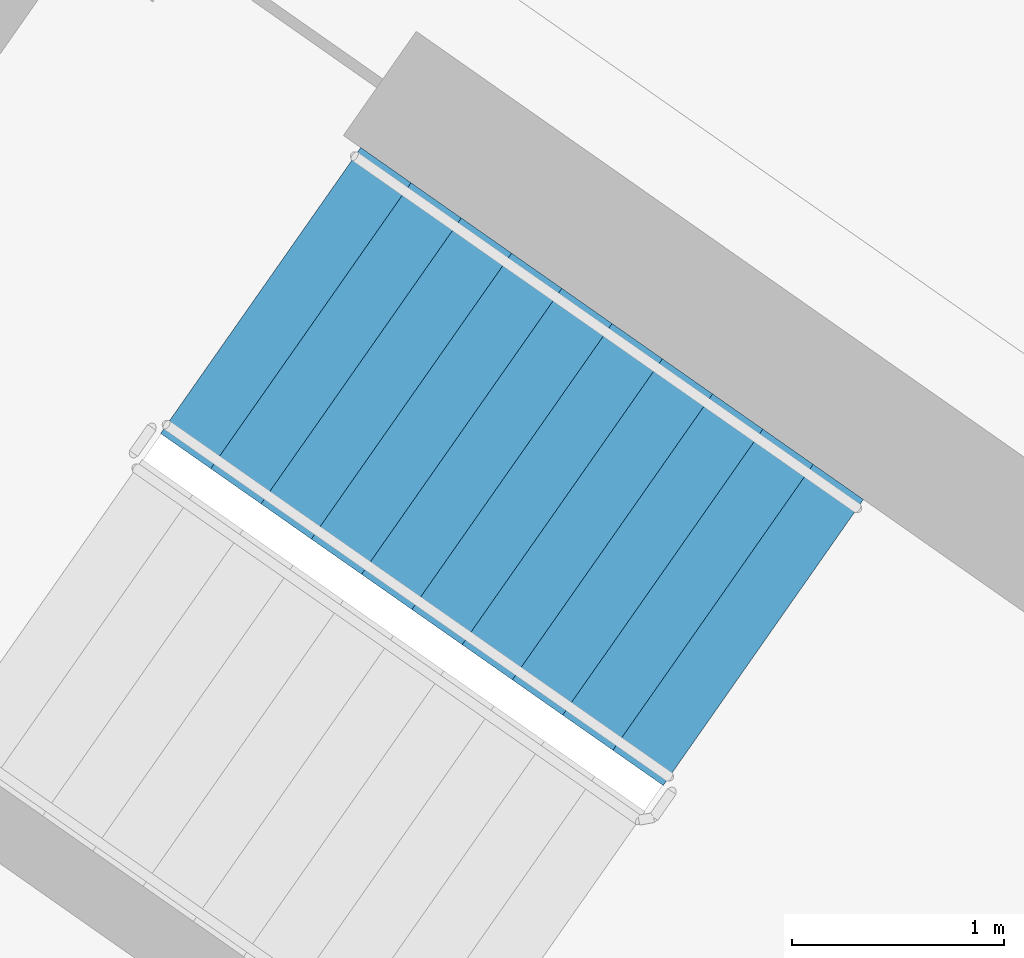
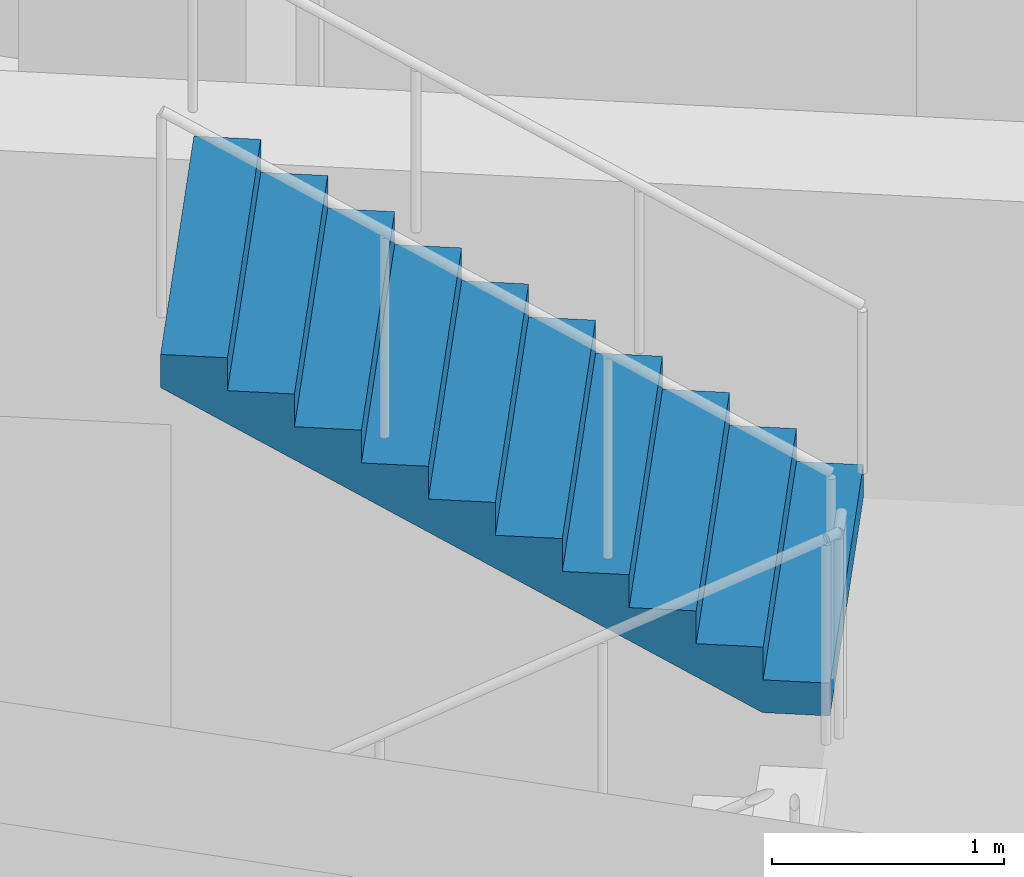
# One storey, part 13 of 28: 1 stair flight, 1 element without a shape of its own.
"""IFC4 building model written with IfcOpenShell, lengths in metres."""

from ifc_helpers import new_model, si_unit, direction, frame, origin, place, context, subcontext, project, spatial, faceted_brep, material, type_object, element, aggregate, save


model = new_model("IFC4")

# Units and contexts
model_context = context("Model", 3, precision=1e-05, world=origin(), true_north=direction((0.0, 1.0)))
body_context = subcontext(model_context, "Body", "Model", "MODEL_VIEW")
ifc_project = project(units=[si_unit("LENGTHUNIT", "METRE"), si_unit("AREAUNIT", "SQUARE_METRE"), si_unit("VOLUMEUNIT", "CUBIC_METRE"), si_unit("PLANEANGLEUNIT", "RADIAN"), si_unit("MASSUNIT", "GRAM", prefix="KILO")], contexts=[model_context])

# Site, building, storey
site_placement = place(None, origin())
site = spatial("IfcSite", under=ifc_project, at=site_placement, CompositionType="ELEMENT")
building_placement = place(site_placement, origin())
building = spatial("IfcBuilding", under=site, at=building_placement, Name="Qamariyya Broadcast Tower", CompositionType="ELEMENT")
storey_placement = place(building_placement, frame((0.0, 0.0, 218.89990234375)))
storey = spatial("IfcBuildingStorey", under=building, at=storey_placement, Name="L52", CompositionType="ELEMENT", Elevation=218.89990234375)

# Stair, stair flight
ifc_material = material(Name="Concrete C50/60", Category="concrete")
stair_type = type_object("IfcStairType", Name="Exit stair 22 risers of 173 mm", PredefinedType="HALF_TURN_STAIR", material=ifc_material)
stair_placement = place(storey_placement, origin())
stair = element("IfcStair", 1, at=stair_placement, inside=storey, type_object=stair_type, Name="L52 Stair W2", PredefinedType="HALF_TURN_STAIR")
stair_flight_type = type_object("IfcStairFlightType", Name="Exit stair flight 11 risers of 173 mm", PredefinedType="STRAIGHT", material=ifc_material)
stair_flight_placement = place(storey_placement, frame((-38.18310546875, -49.3486328125, 1.900146484375), z_axis=(0.0, 0.0, 1.0), x_axis=(-0.819152044289, 0.573576436351, 0.0)))
stair_flight = element("IfcStairFlight", 2, at=stair_flight_placement, type_object=stair_flight_type, Name="ST-W2 flight 2", NumberOfRisers=11, NumberOfTreads=10, PredefinedType="STRAIGHT", RiserHeight=0.172727273, TreadLength=0.29, context=body_context, shape_type="Brep", body=[
    faceted_brep([(0.0, 0.824951171875, 0.0), (0.0, 0.824951171875, 0.172607421875), (0.2900390625, 0.824951171875, 0.172607421875), (0.2900390625, 0.824951171875, 0.345458984375), (0.580078125, 0.824951171875, 0.345458984375), (0.580078125, 0.824951171875, 0.51806640625), (0.8701171875, 0.824951171875, 0.51806640625), (0.8701171875, 0.824951171875, 0.69091796875), (1.159912109375, 0.824951171875, 0.69091796875), (1.159912109375, 0.824951171875, 0.863525390625), (1.449951171875, 0.824951171875, 0.863525390625), (1.449951171875, 0.824951171875, 1.036376953125), (1.739990234375, 0.824951171875, 1.036376953125), (1.739990234375, 0.824951171875, 1.208984375), (2.030029296875, 0.824951171875, 1.208984375), (2.030029296875, 0.824951171875, 1.3818359375), (2.320068359375, 0.824951171875, 1.3818359375), (2.320068359375, 0.824951171875, 1.554443359375), (2.610107421875, 0.824951171875, 1.554443359375), (2.610107421875, 0.824951171875, 1.727294921875), (2.89990234375, 0.824951171875, 1.727294921875), (2.89990234375, 0.824951171875, 1.552734375), (0.29296875, 0.824951171875, 0.0), (0.29296875, -0.824951171875, 0.0), (2.89990234375, -0.824951171875, 1.552734375), (2.89990234375, -0.824951171875, 1.727294921875), (2.610107421875, -0.824951171875, 1.727294921875), (2.610107421875, -0.824951171875, 1.554443359375), (2.320068359375, -0.824951171875, 1.554443359375), (2.320068359375, -0.824951171875, 1.3818359375), (2.030029296875, -0.824951171875, 1.3818359375), (2.030029296875, -0.824951171875, 1.208984375), (1.739990234375, -0.824951171875, 1.208984375), (1.739990234375, -0.824951171875, 1.036376953125), (1.449951171875, -0.824951171875, 1.036376953125), (1.449951171875, -0.824951171875, 0.863525390625), (1.159912109375, -0.824951171875, 0.863525390625), (1.159912109375, -0.824951171875, 0.69091796875), (0.8701171875, -0.824951171875, 0.69091796875), (0.8701171875, -0.824951171875, 0.51806640625), (0.580078125, -0.824951171875, 0.51806640625), (0.580078125, -0.824951171875, 0.345458984375), (0.2900390625, -0.824951171875, 0.345458984375), (0.2900390625, -0.824951171875, 0.172607421875), (0.0, -0.824951171875, 0.172607421875), (0.0, -0.824951171875, 0.0), (0.0, 0.10009765625, 0.0), (0.0, 0.086669921875, 0.0), (0.0, 0.0732421875, 0.0), (0.0, 0.06005859375, 0.0), (0.0, 0.046630859375, 0.0), (0.0, 0.033447265625, 0.0), (0.0, 0.02001953125, 0.0), (0.0, 0.006591796875, 0.0), (0.0, -0.006591796875, 0.0), (0.0, -0.02001953125, 0.0), (0.0, -0.033447265625, 0.0), (0.0, -0.046630859375, 0.0), (0.0, -0.06005859375, 0.0), (0.0, -0.0732421875, 0.0), (0.0, -0.086669921875, 0.0), (0.0, -0.10009765625, 0.0), (0.0, -0.10009765625, 0.172607421875), (0.0, -0.086669921875, 0.172607421875), (0.0, -0.0732421875, 0.172607421875), (0.0, -0.06005859375, 0.172607421875), (0.0, -0.046630859375, 0.172607421875), (0.0, -0.033447265625, 0.172607421875), (0.0, -0.02001953125, 0.172607421875), (0.0, -0.006591796875, 0.172607421875), (0.0, 0.006591796875, 0.172607421875), (0.0, 0.02001953125, 0.172607421875), (0.0, 0.033447265625, 0.172607421875), (0.0, 0.046630859375, 0.172607421875), (0.0, 0.06005859375, 0.172607421875), (0.0, 0.0732421875, 0.172607421875), (0.0, 0.086669921875, 0.172607421875), (0.0, 0.10009765625, 0.172607421875), (0.2900390625, -0.10009765625, 0.172607421875), (0.2900390625, -0.086669921875, 0.172607421875), (0.2900390625, -0.0732421875, 0.172607421875), (0.2900390625, -0.06005859375, 0.172607421875), (0.2900390625, -0.046630859375, 0.172607421875), (0.2900390625, -0.033447265625, 0.172607421875), (0.2900390625, -0.02001953125, 0.172607421875), (0.2900390625, -0.006591796875, 0.172607421875), (0.2900390625, 0.006591796875, 0.172607421875), (0.2900390625, 0.02001953125, 0.172607421875), (0.2900390625, 0.033447265625, 0.172607421875), (0.2900390625, 0.046630859375, 0.172607421875), (0.2900390625, 0.06005859375, 0.172607421875), (0.2900390625, 0.0732421875, 0.172607421875), (0.2900390625, 0.086669921875, 0.172607421875), (0.2900390625, 0.10009765625, 0.172607421875), (0.2900390625, -0.10009765625, 0.345458984375), (0.2900390625, -0.086669921875, 0.345458984375), (0.2900390625, -0.0732421875, 0.345458984375), (0.2900390625, -0.06005859375, 0.345458984375), (0.2900390625, -0.046630859375, 0.345458984375), (0.2900390625, -0.033447265625, 0.345458984375), (0.2900390625, -0.02001953125, 0.345458984375), (0.2900390625, -0.006591796875, 0.345458984375), (0.2900390625, 0.006591796875, 0.345458984375), (0.2900390625, 0.02001953125, 0.345458984375), (0.2900390625, 0.033447265625, 0.345458984375), (0.2900390625, 0.046630859375, 0.345458984375), (0.2900390625, 0.06005859375, 0.345458984375), (0.2900390625, 0.0732421875, 0.345458984375), (0.2900390625, 0.086669921875, 0.345458984375), (0.2900390625, 0.10009765625, 0.345458984375), (0.580078125, -0.10009765625, 0.345458984375), (0.580078125, -0.086669921875, 0.345458984375), (0.580078125, -0.0732421875, 0.345458984375), (0.580078125, -0.06005859375, 0.345458984375), (0.580078125, -0.046630859375, 0.345458984375), (0.580078125, -0.033447265625, 0.345458984375), (0.580078125, -0.02001953125, 0.345458984375), (0.580078125, -0.006591796875, 0.345458984375), (0.580078125, 0.006591796875, 0.345458984375), (0.580078125, 0.02001953125, 0.345458984375), (0.580078125, 0.033447265625, 0.345458984375), (0.580078125, 0.046630859375, 0.345458984375), (0.580078125, 0.06005859375, 0.345458984375), (0.580078125, 0.0732421875, 0.345458984375), (0.580078125, 0.086669921875, 0.345458984375), (0.580078125, 0.10009765625, 0.345458984375), (0.580078125, -0.10009765625, 0.51806640625), (0.580078125, -0.086669921875, 0.51806640625), (0.580078125, -0.0732421875, 0.51806640625), (0.580078125, -0.06005859375, 0.51806640625), (0.580078125, -0.046630859375, 0.51806640625), (0.580078125, -0.033447265625, 0.51806640625), (0.580078125, -0.02001953125, 0.51806640625), (0.580078125, -0.006591796875, 0.51806640625), (0.580078125, 0.006591796875, 0.51806640625), (0.580078125, 0.02001953125, 0.51806640625), (0.580078125, 0.033447265625, 0.51806640625), (0.580078125, 0.046630859375, 0.51806640625), (0.580078125, 0.06005859375, 0.51806640625), (0.580078125, 0.0732421875, 0.51806640625), (0.580078125, 0.086669921875, 0.51806640625), (0.580078125, 0.10009765625, 0.51806640625), (0.8701171875, -0.10009765625, 0.51806640625), (0.8701171875, -0.086669921875, 0.51806640625), (0.8701171875, -0.0732421875, 0.51806640625), (0.8701171875, -0.06005859375, 0.51806640625), (0.8701171875, -0.046630859375, 0.51806640625), (0.8701171875, -0.033447265625, 0.51806640625), (0.8701171875, -0.02001953125, 0.51806640625), (0.8701171875, -0.006591796875, 0.51806640625), (0.8701171875, 0.006591796875, 0.51806640625), (0.8701171875, 0.02001953125, 0.51806640625), (0.8701171875, 0.033447265625, 0.51806640625), (0.8701171875, 0.046630859375, 0.51806640625), (0.8701171875, 0.06005859375, 0.51806640625), (0.8701171875, 0.0732421875, 0.51806640625), (0.8701171875, 0.086669921875, 0.51806640625), (0.8701171875, 0.10009765625, 0.51806640625), (0.8701171875, -0.10009765625, 0.69091796875), (0.8701171875, -0.086669921875, 0.69091796875), (0.8701171875, -0.0732421875, 0.69091796875), (0.8701171875, -0.06005859375, 0.69091796875), (0.8701171875, -0.046630859375, 0.69091796875), (0.8701171875, -0.033447265625, 0.69091796875), (0.8701171875, -0.02001953125, 0.69091796875), (0.8701171875, -0.006591796875, 0.69091796875), (0.8701171875, 0.006591796875, 0.69091796875), (0.8701171875, 0.02001953125, 0.69091796875), (0.8701171875, 0.033447265625, 0.69091796875), (0.8701171875, 0.046630859375, 0.69091796875), (0.8701171875, 0.06005859375, 0.69091796875), (0.8701171875, 0.0732421875, 0.69091796875), (0.8701171875, 0.086669921875, 0.69091796875), (0.8701171875, 0.10009765625, 0.69091796875), (1.159912109375, -0.10009765625, 0.69091796875), (1.159912109375, -0.086669921875, 0.69091796875), (1.159912109375, -0.0732421875, 0.69091796875), (1.159912109375, -0.06005859375, 0.69091796875), (1.159912109375, -0.046630859375, 0.69091796875), (1.159912109375, -0.033447265625, 0.69091796875), (1.159912109375, -0.02001953125, 0.69091796875), (1.159912109375, -0.006591796875, 0.69091796875), (1.159912109375, 0.006591796875, 0.69091796875), (1.159912109375, 0.02001953125, 0.69091796875), (1.159912109375, 0.033447265625, 0.69091796875), (1.159912109375, 0.046630859375, 0.69091796875), (1.159912109375, 0.06005859375, 0.69091796875), (1.159912109375, 0.0732421875, 0.69091796875), (1.159912109375, 0.086669921875, 0.69091796875), (1.159912109375, 0.10009765625, 0.69091796875), (1.159912109375, -0.10009765625, 0.863525390625), (1.159912109375, -0.086669921875, 0.863525390625), (1.159912109375, -0.0732421875, 0.863525390625), (1.159912109375, -0.06005859375, 0.863525390625), (1.159912109375, -0.046630859375, 0.863525390625), (1.159912109375, -0.033447265625, 0.863525390625), (1.159912109375, -0.02001953125, 0.863525390625), (1.159912109375, -0.006591796875, 0.863525390625), (1.159912109375, 0.006591796875, 0.863525390625), (1.159912109375, 0.02001953125, 0.863525390625), (1.159912109375, 0.033447265625, 0.863525390625), (1.159912109375, 0.046630859375, 0.863525390625), (1.159912109375, 0.06005859375, 0.863525390625), (1.159912109375, 0.0732421875, 0.863525390625), (1.159912109375, 0.086669921875, 0.863525390625), (1.159912109375, 0.10009765625, 0.863525390625), (1.449951171875, -0.10009765625, 0.863525390625), (1.449951171875, -0.086669921875, 0.863525390625), (1.449951171875, -0.0732421875, 0.863525390625), (1.449951171875, -0.06005859375, 0.863525390625), (1.449951171875, -0.046630859375, 0.863525390625), (1.449951171875, -0.033447265625, 0.863525390625), (1.449951171875, -0.02001953125, 0.863525390625), (1.449951171875, -0.006591796875, 0.863525390625), (1.449951171875, 0.006591796875, 0.863525390625), (1.449951171875, 0.02001953125, 0.863525390625), (1.449951171875, 0.033447265625, 0.863525390625), (1.449951171875, 0.046630859375, 0.863525390625), (1.449951171875, 0.06005859375, 0.863525390625), (1.449951171875, 0.0732421875, 0.863525390625), (1.449951171875, 0.086669921875, 0.863525390625), (1.449951171875, 0.10009765625, 0.863525390625), (1.449951171875, -0.10009765625, 1.036376953125), (1.449951171875, -0.086669921875, 1.036376953125), (1.449951171875, -0.0732421875, 1.036376953125), (1.449951171875, -0.06005859375, 1.036376953125), (1.449951171875, -0.046630859375, 1.036376953125), (1.449951171875, -0.033447265625, 1.036376953125), (1.449951171875, -0.02001953125, 1.036376953125), (1.449951171875, -0.006591796875, 1.036376953125), (1.449951171875, 0.006591796875, 1.036376953125), (1.449951171875, 0.02001953125, 1.036376953125), (1.449951171875, 0.033447265625, 1.036376953125), (1.449951171875, 0.046630859375, 1.036376953125), (1.449951171875, 0.06005859375, 1.036376953125), (1.449951171875, 0.0732421875, 1.036376953125), (1.449951171875, 0.086669921875, 1.036376953125), (1.449951171875, 0.10009765625, 1.036376953125), (1.739990234375, -0.10009765625, 1.036376953125), (1.739990234375, -0.086669921875, 1.036376953125), (1.739990234375, -0.0732421875, 1.036376953125), (1.739990234375, -0.06005859375, 1.036376953125), (1.739990234375, -0.046630859375, 1.036376953125), (1.739990234375, -0.033447265625, 1.036376953125), (1.739990234375, -0.02001953125, 1.036376953125), (1.739990234375, -0.006591796875, 1.036376953125), (1.739990234375, 0.006591796875, 1.036376953125), (1.739990234375, 0.02001953125, 1.036376953125), (1.739990234375, 0.033447265625, 1.036376953125), (1.739990234375, 0.046630859375, 1.036376953125), (1.739990234375, 0.06005859375, 1.036376953125), (1.739990234375, 0.0732421875, 1.036376953125), (1.739990234375, 0.086669921875, 1.036376953125), (1.739990234375, 0.10009765625, 1.036376953125), (1.739990234375, -0.10009765625, 1.208984375), (1.739990234375, -0.086669921875, 1.208984375), (1.739990234375, -0.0732421875, 1.208984375), (1.739990234375, -0.06005859375, 1.208984375), (1.739990234375, -0.046630859375, 1.208984375), (1.739990234375, -0.033447265625, 1.208984375), (1.739990234375, -0.02001953125, 1.208984375), (1.739990234375, -0.006591796875, 1.208984375), (1.739990234375, 0.006591796875, 1.208984375), (1.739990234375, 0.02001953125, 1.208984375), (1.739990234375, 0.033447265625, 1.208984375), (1.739990234375, 0.046630859375, 1.208984375), (1.739990234375, 0.06005859375, 1.208984375), (1.739990234375, 0.0732421875, 1.208984375), (1.739990234375, 0.086669921875, 1.208984375), (1.739990234375, 0.10009765625, 1.208984375), (2.030029296875, -0.10009765625, 1.208984375), (2.030029296875, -0.086669921875, 1.208984375), (2.030029296875, -0.0732421875, 1.208984375), (2.030029296875, -0.06005859375, 1.208984375), (2.030029296875, -0.046630859375, 1.208984375), (2.030029296875, -0.033447265625, 1.208984375), (2.030029296875, -0.02001953125, 1.208984375), (2.030029296875, -0.006591796875, 1.208984375), (2.030029296875, 0.006591796875, 1.208984375), (2.030029296875, 0.02001953125, 1.208984375), (2.030029296875, 0.033447265625, 1.208984375), (2.030029296875, 0.046630859375, 1.208984375), (2.030029296875, 0.06005859375, 1.208984375), (2.030029296875, 0.0732421875, 1.208984375), (2.030029296875, 0.086669921875, 1.208984375), (2.030029296875, 0.10009765625, 1.208984375), (2.030029296875, -0.10009765625, 1.3818359375), (2.030029296875, -0.086669921875, 1.3818359375), (2.030029296875, -0.0732421875, 1.3818359375), (2.030029296875, -0.06005859375, 1.3818359375), (2.030029296875, -0.046630859375, 1.3818359375), (2.030029296875, -0.033447265625, 1.3818359375), (2.030029296875, -0.02001953125, 1.3818359375), (2.030029296875, -0.006591796875, 1.3818359375), (2.030029296875, 0.006591796875, 1.3818359375), (2.030029296875, 0.02001953125, 1.3818359375), (2.030029296875, 0.033447265625, 1.3818359375), (2.030029296875, 0.046630859375, 1.3818359375), (2.030029296875, 0.06005859375, 1.3818359375), (2.030029296875, 0.0732421875, 1.3818359375), (2.030029296875, 0.086669921875, 1.3818359375), (2.030029296875, 0.10009765625, 1.3818359375), (2.320068359375, -0.10009765625, 1.3818359375), (2.320068359375, -0.086669921875, 1.3818359375), (2.320068359375, -0.0732421875, 1.3818359375), (2.320068359375, -0.06005859375, 1.3818359375), (2.320068359375, -0.046630859375, 1.3818359375), (2.320068359375, -0.033447265625, 1.3818359375), (2.320068359375, -0.02001953125, 1.3818359375), (2.320068359375, -0.006591796875, 1.3818359375), (2.320068359375, 0.006591796875, 1.3818359375), (2.320068359375, 0.02001953125, 1.3818359375), (2.320068359375, 0.033447265625, 1.3818359375), (2.320068359375, 0.046630859375, 1.3818359375), (2.320068359375, 0.06005859375, 1.3818359375), (2.320068359375, 0.0732421875, 1.3818359375), (2.320068359375, 0.086669921875, 1.3818359375), (2.320068359375, 0.10009765625, 1.3818359375), (2.320068359375, -0.10009765625, 1.554443359375), (2.320068359375, -0.086669921875, 1.554443359375), (2.320068359375, -0.0732421875, 1.554443359375), (2.320068359375, -0.06005859375, 1.554443359375), (2.320068359375, -0.046630859375, 1.554443359375), (2.320068359375, -0.033447265625, 1.554443359375), (2.320068359375, -0.02001953125, 1.554443359375), (2.320068359375, -0.006591796875, 1.554443359375), (2.320068359375, 0.006591796875, 1.554443359375), (2.320068359375, 0.02001953125, 1.554443359375), (2.320068359375, 0.033447265625, 1.554443359375), (2.320068359375, 0.046630859375, 1.554443359375), (2.320068359375, 0.06005859375, 1.554443359375), (2.320068359375, 0.0732421875, 1.554443359375), (2.320068359375, 0.086669921875, 1.554443359375), (2.320068359375, 0.10009765625, 1.554443359375), (2.610107421875, -0.10009765625, 1.554443359375), (2.610107421875, -0.086669921875, 1.554443359375), (2.610107421875, -0.0732421875, 1.554443359375), (2.610107421875, -0.06005859375, 1.554443359375), (2.610107421875, -0.046630859375, 1.554443359375), (2.610107421875, -0.033447265625, 1.554443359375), (2.610107421875, -0.02001953125, 1.554443359375), (2.610107421875, -0.006591796875, 1.554443359375), (2.610107421875, 0.006591796875, 1.554443359375), (2.610107421875, 0.02001953125, 1.554443359375), (2.610107421875, 0.033447265625, 1.554443359375), (2.610107421875, 0.046630859375, 1.554443359375), (2.610107421875, 0.06005859375, 1.554443359375), (2.610107421875, 0.0732421875, 1.554443359375), (2.610107421875, 0.086669921875, 1.554443359375), (2.610107421875, 0.10009765625, 1.554443359375), (2.610107421875, -0.10009765625, 1.727294921875), (2.610107421875, -0.086669921875, 1.727294921875), (2.610107421875, -0.0732421875, 1.727294921875), (2.610107421875, -0.06005859375, 1.727294921875), (2.610107421875, -0.046630859375, 1.727294921875), (2.610107421875, -0.033447265625, 1.727294921875), (2.610107421875, -0.02001953125, 1.727294921875), (2.610107421875, -0.006591796875, 1.727294921875), (2.610107421875, 0.006591796875, 1.727294921875), (2.610107421875, 0.02001953125, 1.727294921875), (2.610107421875, 0.033447265625, 1.727294921875), (2.610107421875, 0.046630859375, 1.727294921875), (2.610107421875, 0.06005859375, 1.727294921875), (2.610107421875, 0.0732421875, 1.727294921875), (2.610107421875, 0.086669921875, 1.727294921875), (2.610107421875, 0.10009765625, 1.727294921875), (2.89990234375, -0.10009765625, 1.727294921875), (2.89990234375, -0.086669921875, 1.727294921875), (2.89990234375, -0.0732421875, 1.727294921875), (2.89990234375, -0.06005859375, 1.727294921875), (2.89990234375, -0.046630859375, 1.727294921875), (2.89990234375, -0.033447265625, 1.727294921875), (2.89990234375, -0.02001953125, 1.727294921875), (2.89990234375, -0.006591796875, 1.727294921875), (2.89990234375, 0.006591796875, 1.727294921875), (2.89990234375, 0.02001953125, 1.727294921875), (2.89990234375, 0.033447265625, 1.727294921875), (2.89990234375, 0.046630859375, 1.727294921875), (2.89990234375, 0.06005859375, 1.727294921875), (2.89990234375, 0.0732421875, 1.727294921875), (2.89990234375, 0.086669921875, 1.727294921875), (2.89990234375, 0.10009765625, 1.727294921875), (2.89990234375, -0.10009765625, 1.552734375), (2.89990234375, -0.086669921875, 1.552734375), (2.89990234375, -0.0732421875, 1.552734375), (2.89990234375, -0.06005859375, 1.552734375), (2.89990234375, -0.046630859375, 1.552734375), (2.89990234375, -0.033447265625, 1.552734375), (2.89990234375, -0.02001953125, 1.552734375), (2.89990234375, -0.006591796875, 1.552734375), (2.89990234375, 0.006591796875, 1.552734375), (2.89990234375, 0.02001953125, 1.552734375), (2.89990234375, 0.033447265625, 1.552734375), (2.89990234375, 0.046630859375, 1.552734375), (2.89990234375, 0.06005859375, 1.552734375), (2.89990234375, 0.0732421875, 1.552734375), (2.89990234375, 0.086669921875, 1.552734375), (2.89990234375, 0.10009765625, 1.552734375), (0.29296875, -0.10009765625, 0.0), (0.29296875, -0.086669921875, 0.0), (0.29296875, -0.0732421875, 0.0), (0.29296875, -0.06005859375, 0.0), (0.29296875, -0.046630859375, 0.0), (0.29296875, -0.033447265625, 0.0), (0.29296875, -0.02001953125, 0.0), (0.29296875, -0.006591796875, 0.0), (0.29296875, 0.006591796875, 0.0), (0.29296875, 0.02001953125, 0.0), (0.29296875, 0.033447265625, 0.0), (0.29296875, 0.046630859375, 0.0), (0.29296875, 0.06005859375, 0.0), (0.29296875, 0.0732421875, 0.0), (0.29296875, 0.086669921875, 0.0), (0.29296875, 0.10009765625, 0.0)], [[[0, 1, 2, 3, 4, 5, 6, 7, 8, 9, 10, 11, 12, 13, 14, 15, 16, 17, 18, 19, 20, 21, 22]], [[23, 24, 25, 26, 27, 28, 29, 30, 31, 32, 33, 34, 35, 36, 37, 38, 39, 40, 41, 42, 43, 44, 45]], [[0, 46, 47, 48, 49, 50, 51, 52, 53, 54, 55, 56, 57, 58, 59, 60, 61, 45, 44, 62, 63, 64, 65, 66, 67, 68, 69, 70, 71, 72, 73, 74, 75, 76, 77, 1]], [[1, 77, 76, 75, 74, 73, 72, 71, 70, 69, 68, 67, 66, 65, 64, 63, 62, 44, 43, 78, 79, 80, 81, 82, 83, 84, 85, 86, 87, 88, 89, 90, 91, 92, 93, 2]], [[2, 93, 92, 91, 90, 89, 88, 87, 86, 85, 84, 83, 82, 81, 80, 79, 78, 43, 42, 94, 95, 96, 97, 98, 99, 100, 101, 102, 103, 104, 105, 106, 107, 108, 109, 3]], [[3, 109, 108, 107, 106, 105, 104, 103, 102, 101, 100, 99, 98, 97, 96, 95, 94, 42, 41, 110, 111, 112, 113, 114, 115, 116, 117, 118, 119, 120, 121, 122, 123, 124, 125, 4]], [[4, 125, 124, 123, 122, 121, 120, 119, 118, 117, 116, 115, 114, 113, 112, 111, 110, 41, 40, 126, 127, 128, 129, 130, 131, 132, 133, 134, 135, 136, 137, 138, 139, 140, 141, 5]], [[5, 141, 140, 139, 138, 137, 136, 135, 134, 133, 132, 131, 130, 129, 128, 127, 126, 40, 39, 142, 143, 144, 145, 146, 147, 148, 149, 150, 151, 152, 153, 154, 155, 156, 157, 6]], [[6, 157, 156, 155, 154, 153, 152, 151, 150, 149, 148, 147, 146, 145, 144, 143, 142, 39, 38, 158, 159, 160, 161, 162, 163, 164, 165, 166, 167, 168, 169, 170, 171, 172, 173, 7]], [[7, 173, 172, 171, 170, 169, 168, 167, 166, 165, 164, 163, 162, 161, 160, 159, 158, 38, 37, 174, 175, 176, 177, 178, 179, 180, 181, 182, 183, 184, 185, 186, 187, 188, 189, 8]], [[8, 189, 188, 187, 186, 185, 184, 183, 182, 181, 180, 179, 178, 177, 176, 175, 174, 37, 36, 190, 191, 192, 193, 194, 195, 196, 197, 198, 199, 200, 201, 202, 203, 204, 205, 9]], [[9, 205, 204, 203, 202, 201, 200, 199, 198, 197, 196, 195, 194, 193, 192, 191, 190, 36, 35, 206, 207, 208, 209, 210, 211, 212, 213, 214, 215, 216, 217, 218, 219, 220, 221, 10]], [[10, 221, 220, 219, 218, 217, 216, 215, 214, 213, 212, 211, 210, 209, 208, 207, 206, 35, 34, 222, 223, 224, 225, 226, 227, 228, 229, 230, 231, 232, 233, 234, 235, 236, 237, 11]], [[11, 237, 236, 235, 234, 233, 232, 231, 230, 229, 228, 227, 226, 225, 224, 223, 222, 34, 33, 238, 239, 240, 241, 242, 243, 244, 245, 246, 247, 248, 249, 250, 251, 252, 253, 12]], [[12, 253, 252, 251, 250, 249, 248, 247, 246, 245, 244, 243, 242, 241, 240, 239, 238, 33, 32, 254, 255, 256, 257, 258, 259, 260, 261, 262, 263, 264, 265, 266, 267, 268, 269, 13]], [[13, 269, 268, 267, 266, 265, 264, 263, 262, 261, 260, 259, 258, 257, 256, 255, 254, 32, 31, 270, 271, 272, 273, 274, 275, 276, 277, 278, 279, 280, 281, 282, 283, 284, 285, 14]], [[14, 285, 284, 283, 282, 281, 280, 279, 278, 277, 276, 275, 274, 273, 272, 271, 270, 31, 30, 286, 287, 288, 289, 290, 291, 292, 293, 294, 295, 296, 297, 298, 299, 300, 301, 15]], [[15, 301, 300, 299, 298, 297, 296, 295, 294, 293, 292, 291, 290, 289, 288, 287, 286, 30, 29, 302, 303, 304, 305, 306, 307, 308, 309, 310, 311, 312, 313, 314, 315, 316, 317, 16]], [[16, 317, 316, 315, 314, 313, 312, 311, 310, 309, 308, 307, 306, 305, 304, 303, 302, 29, 28, 318, 319, 320, 321, 322, 323, 324, 325, 326, 327, 328, 329, 330, 331, 332, 333, 17]], [[17, 333, 332, 331, 330, 329, 328, 327, 326, 325, 324, 323, 322, 321, 320, 319, 318, 28, 27, 334, 335, 336, 337, 338, 339, 340, 341, 342, 343, 344, 345, 346, 347, 348, 349, 18]], [[18, 349, 348, 347, 346, 345, 344, 343, 342, 341, 340, 339, 338, 337, 336, 335, 334, 27, 26, 350, 351, 352, 353, 354, 355, 356, 357, 358, 359, 360, 361, 362, 363, 364, 365, 19]], [[19, 365, 364, 363, 362, 361, 360, 359, 358, 357, 356, 355, 354, 353, 352, 351, 350, 26, 25, 366, 367, 368, 369, 370, 371, 372, 373, 374, 375, 376, 377, 378, 379, 380, 381, 20]], [[20, 381, 380, 379, 378, 377, 376, 375, 374, 373, 372, 371, 370, 369, 368, 367, 366, 25, 24, 382, 383, 384, 385, 386, 387, 388, 389, 390, 391, 392, 393, 394, 395, 396, 397, 21]], [[21, 397, 396, 395, 394, 393, 392, 391, 390, 389, 388, 387, 386, 385, 384, 383, 382, 24, 23, 398, 399, 400, 401, 402, 403, 404, 405, 406, 407, 408, 409, 410, 411, 412, 413, 22]], [[22, 413, 412, 411, 410, 409, 408, 407, 406, 405, 404, 403, 402, 401, 400, 399, 398, 23, 45, 61, 60, 59, 58, 57, 56, 55, 54, 53, 52, 51, 50, 49, 48, 47, 46, 0]]]),
])
aggregate(stair, [stair_flight])

save(model, "model.ifc")
